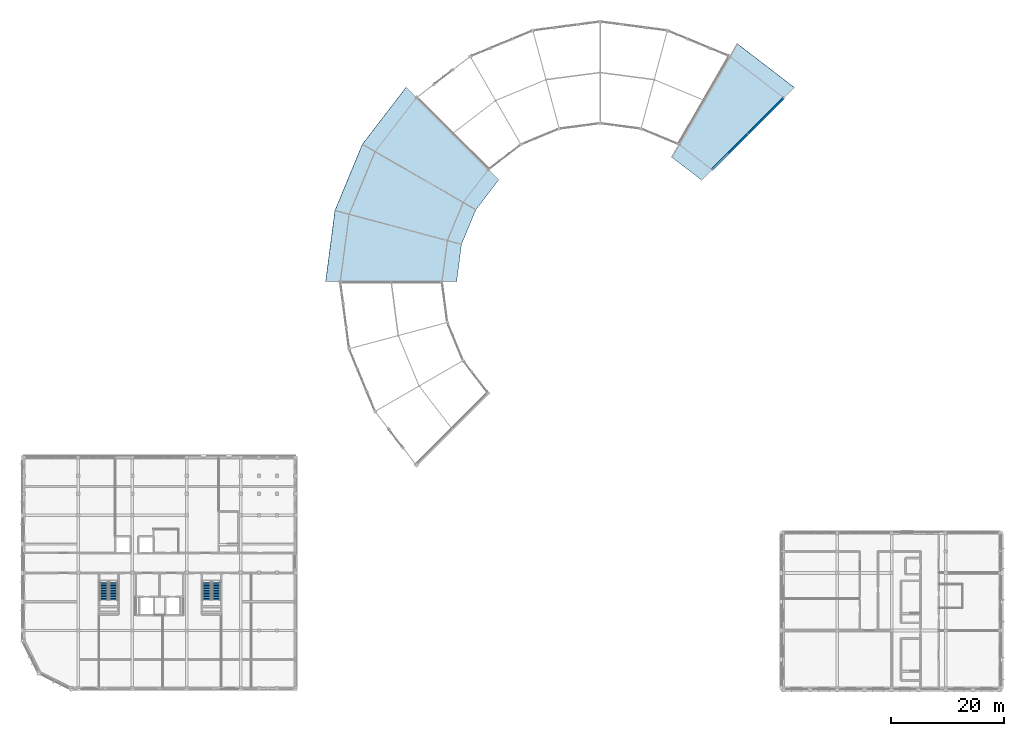
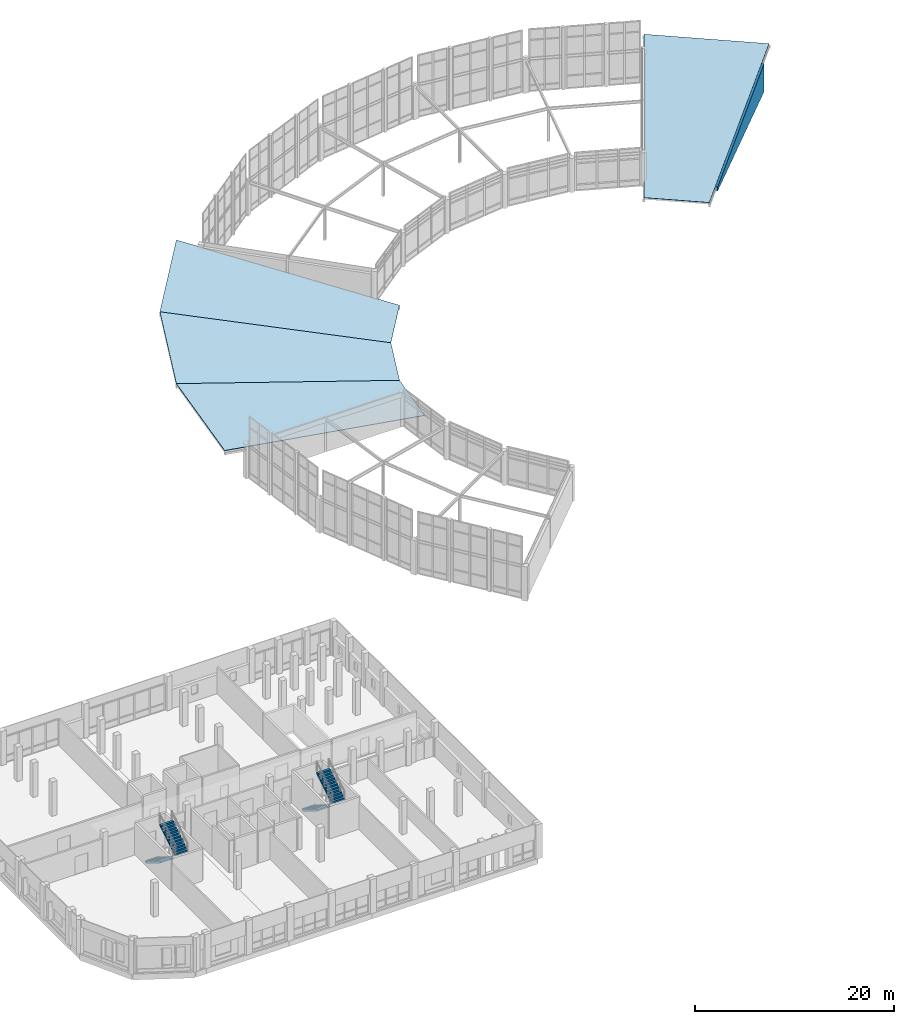
# One storey, part 85 of 93: 4 roofs, 4 stair flights, 1 wall, 2 elements without a shape of their own.
"""IFC4 building model written with IfcOpenShell, lengths in metres."""

import ifcopenshell
import ifcopenshell.guid

model = None  # the IFC model being written
_history = None  # IfcOwnerHistory: only IFC2X3 demands one
_inside = {}  # id of a spatial element -> (the spatial element, [elements in it])
_under = {}  # id of a project, library or spatial element -> (it, [spatial elements below it])
_declared = {}  # id of a project -> (the project, [libraries it declares])
_typed = {}  # id of a type object -> (the type object, [elements of that type])
_made_of = {}  # id of a material, layer set ... -> (it, [elements and type objects made of it])


def new_model(schema):
    """Start an empty IFC model of exactly this schema.

    Asked for "IFC4X3", IfcOpenShell would pick the latest addendum, in which some entities
    have other attributes; the version numbers below select the first issue.
    IFC2X3 requires an IfcOwnerHistory on every rooted entity: one is made here for all.
    """
    global model, _history
    if schema == "IFC4X3":
        model = ifcopenshell.file(schema_version=(4, 3, 0, 0))
    else:
        model = ifcopenshell.file(schema=schema)
    _inside.clear()
    _under.clear()
    _declared.clear()
    _typed.clear()
    _made_of.clear()
    _history = None
    if model.schema == "IFC2X3":
        org = make("IfcOrganization", Name="unknown")
        user = make(
            "IfcPersonAndOrganization",
            ThePerson=make("IfcPerson", FamilyName="unknown"),
            TheOrganization=org,
        )
        app = make(
            "IfcApplication",
            ApplicationDeveloper=org,
            Version="unknown",
            ApplicationFullName="unknown",
            ApplicationIdentifier="unknown",
        )
        _history = make(
            "IfcOwnerHistory",
            OwningUser=user,
            OwningApplication=app,
            ChangeAction="ADDED",
            CreationDate=0,
        )
    return model


def make(cls, **values):
    """One entity of the class cls with the attributes given. An attribute that is None is left unset."""
    return model.create_entity(
        cls, **{name: value for name, value in values.items() if value is not None}
    )


def rooted(cls, **values):
    """An entity with a GlobalId (a new one), such as an element, a storey or a relation."""
    return make(cls, GlobalId=ifcopenshell.guid.new(), OwnerHistory=_history, **values)


def si_unit(unit_type, name, prefix=None):
    """IfcSIUnit, for example si_unit("LENGTHUNIT", "METRE", prefix="MILLI")."""
    return make("IfcSIUnit", UnitType=unit_type, Prefix=prefix, Name=name)


def assignment(units):
    """IfcUnitAssignment: the units of a project."""
    return None if units is None else make("IfcUnitAssignment", Units=units)


def point(xyz):
    """IfcCartesianPoint."""
    return None if xyz is None else make("IfcCartesianPoint", Coordinates=xyz)


def direction(xyz):
    """IfcDirection."""
    return None if xyz is None else make("IfcDirection", DirectionRatios=xyz)


def frame(location, z_axis=None, x_axis=None):
    """IfcAxis2Placement3D, a coordinate frame: its origin and axes. An axis left out is left unset."""
    return make(
        "IfcAxis2Placement3D",
        Location=point(location),
        Axis=direction(z_axis),
        RefDirection=direction(x_axis),
    )


def origin():
    """The frame at (0, 0, 0) with its axes left unset."""
    return frame((0.0, 0.0, 0.0))


def place(relative_to, where):
    """IfcLocalPlacement: puts the frame where relative to a parent placement (None: the world)."""
    return make(
        "IfcLocalPlacement", PlacementRelTo=relative_to, RelativePlacement=where
    )


def context(
    kind, dimensions, precision=None, world=None, true_north=None, identifier=None
):
    """IfcGeometricRepresentationContext, for example the 3D "Model" context."""
    return make(
        "IfcGeometricRepresentationContext",
        ContextIdentifier=identifier,
        ContextType=kind,
        CoordinateSpaceDimension=dimensions,
        Precision=precision,
        WorldCoordinateSystem=world,
        TrueNorth=true_north,
    )


def subcontext(parent, identifier, kind, view, scale=None):
    """IfcGeometricRepresentationSubContext, for example "Body" below "Model"."""
    return make(
        "IfcGeometricRepresentationSubContext",
        ContextIdentifier=identifier,
        ContextType=kind,
        ParentContext=parent,
        TargetScale=scale,
        TargetView=view,
    )


def project(units=None, contexts=None):
    """IfcProject with its units and contexts."""
    return rooted(
        "IfcProject",
        Name="project",
        RepresentationContexts=contexts,
        UnitsInContext=assignment(units),
    )


def spatial(cls, under=None, at=None, **own):
    """A site, building, storey or space (cls), placed at a placement, below another one or the project."""
    s = rooted(cls, ObjectPlacement=at, **own)
    if under is not None:
        _under.setdefault(under.id(), (under, []))[1].append(s)
    return s


def polyline(points):
    """IfcPolyline through the points."""
    return make("IfcPolyline", Points=[point(p) for p in points])


def outline(outer, holes=None, kind="AREA"):
    """IfcArbitraryClosedProfileDef: a profile drawn as a closed curve; with holes, ...WithVoids."""
    if holes is None:
        return make("IfcArbitraryClosedProfileDef", ProfileType=kind, OuterCurve=outer)
    return make(
        "IfcArbitraryProfileDefWithVoids",
        ProfileType=kind,
        OuterCurve=outer,
        InnerCurves=holes,
    )


def extrude(swept, where, along, depth):
    """IfcExtrudedAreaSolid: the profile swept, set in the frame where, extruded along a direction by depth."""
    return make(
        "IfcExtrudedAreaSolid",
        SweptArea=swept,
        Position=where,
        ExtrudedDirection=direction(along),
        Depth=depth,
    )


def shape(context_of_items, identifier, shape_type, items):
    """IfcShapeRepresentation: the items that make up one representation, for example the "Body"."""
    return make(
        "IfcShapeRepresentation",
        ContextOfItems=context_of_items,
        RepresentationIdentifier=identifier,
        RepresentationType=shape_type,
        Items=items,
    )


def material(Name=None, Category=None):
    """IfcMaterial."""
    return make("IfcMaterial", Name=Name, Category=Category)


def layer(
    of_material, thickness, ventilated=None, Name=None, Category=None, Priority=None
):
    """IfcMaterialLayer: one layer of a wall or slab, of a material (None: an air gap)."""
    return make(
        "IfcMaterialLayer",
        Material=of_material,
        LayerThickness=thickness,
        IsVentilated=ventilated,
        Name=Name,
        Category=Category,
        Priority=Priority,
    )


def layer_set(layers, Name=None):
    """IfcMaterialLayerSet."""
    return make("IfcMaterialLayerSet", MaterialLayers=layers, LayerSetName=Name)


def made_of(thing, what):
    """Note that an element or type object is made of a material, layer set ...; save() writes the relation."""
    if what is not None:
        _made_of.setdefault(what.id(), (what, []))[1].append(thing)
    return thing


def type_object(cls, material=None, **own):
    """A type object (cls), such as IfcWallType, which elements share."""
    return made_of(rooted(cls, **own), material)


def element(
    cls,
    number,
    at=None,
    inside=None,
    cuts=None,
    type_object=None,
    material=None,
    context=None,
    identifier="Body",
    shape_type=None,
    held_by="IfcProductDefinitionShape",
    body=None,
    shapes=None,
    **own,
):
    """One element of the class cls, such as IfcWall. Its Tag is "e" and its number.

    at: its placement. inside: the storey or other place that contains it. cuts: it is an
    opening in that element (IfcRelVoidsElement). A single representation is given by context,
    identifier, shape_type and body (its items); several are given by shapes. held_by: the class
    of the entity that holds the representations. save() writes the other relations.
    """
    e = rooted(cls, Tag="e%d" % number, ObjectPlacement=at, **own)
    if body is not None:
        shapes = [shape(context, identifier, shape_type, body)]
    if shapes is not None:
        e.Representation = make(held_by, Representations=shapes)
    if inside is not None:
        _inside.setdefault(inside.id(), (inside, []))[1].append(e)
    if cuts is not None:
        rooted(
            "IfcRelVoidsElement", RelatingBuildingElement=cuts, RelatedOpeningElement=e
        )
    if type_object is not None:
        _typed.setdefault(type_object.id(), (type_object, []))[1].append(e)
    return made_of(e, material)


def aggregate(whole, parts):
    """IfcRelAggregates: a whole, such as a stair, and the parts it consists of."""
    return rooted("IfcRelAggregates", RelatingObject=whole, RelatedObjects=parts)


def save(model, path):
    """Write the relations noted so far, then the file.

    IfcRelAggregates (storeys below a building ...), IfcRelContainedInSpatialStructure (elements
    in a storey), IfcRelDefinesByType, IfcRelAssociatesMaterial and IfcRelDeclares: one each for
    every whole, place, type object, material and project.
    """
    for whole, parts in _under.values():
        aggregate(whole, parts)
    for where, things in _inside.values():
        rooted(
            "IfcRelContainedInSpatialStructure",
            RelatedElements=things,
            RelatingStructure=where,
        )
    for kind, things in _typed.values():
        rooted("IfcRelDefinesByType", RelatedObjects=things, RelatingType=kind)
    for what, things in _made_of.values():
        rooted("IfcRelAssociatesMaterial", RelatedObjects=things, RelatingMaterial=what)
    for by, libraries in _declared.values():
        rooted("IfcRelDeclares", RelatingContext=by, RelatedDefinitions=libraries)
    model.write(path)


model = new_model("IFC4")

# Units and contexts
model_context = context("Model", 3, precision=1e-05, world=origin(), true_north=direction((0.0, 1.0)))
body_context = subcontext(model_context, "Body", "Model", "MODEL_VIEW")
ifc_project = project(units=[si_unit("LENGTHUNIT", "METRE"), si_unit("AREAUNIT", "SQUARE_METRE"), si_unit("VOLUMEUNIT", "CUBIC_METRE"), si_unit("PLANEANGLEUNIT", "RADIAN"), si_unit("MASSUNIT", "GRAM", prefix="KILO")], contexts=[model_context])

# Site, building, storey
site_placement = place(None, origin())
site = spatial("IfcSite", under=ifc_project, at=site_placement, CompositionType="ELEMENT")
building_placement = place(site_placement, origin())
building = spatial("IfcBuilding", under=site, at=building_placement, Name="Vondelvale Polytechnic", CompositionType="ELEMENT")
storey_placement = place(building_placement, frame((0.0, 0.0, 18.0)))
storey = spatial("IfcBuildingStorey", under=building, at=storey_placement, Name="L04", CompositionType="ELEMENT", Elevation=18.0)

# Wall
ifc_material_1 = material(Name="Amsterdam School iron-spot clinker clay brickwork", Category="masonry")
ifc_layer_1 = layer(ifc_material_1, 0.35009765625)
ifc_layer_set_1 = layer_set([ifc_layer_1], Name="WL-BRICK-350")
wall_type = type_object("IfcWallType", Name="WL-BRICK-350", PredefinedType="SOLIDWALL", material=ifc_layer_set_1)
wall_placement = place(storey_placement, frame((121.799072265625, 91.799072265625, 0.02001953125), z_axis=(0.0, 0.0, 1.0), x_axis=(0.707106781187, 0.707106781187, 0.0)))
element("IfcWall", 1, at=wall_placement, inside=storey, type_object=wall_type, Name="Ring stepped roof transition brick gable R03", PredefinedType="SOLIDWALL", context=body_context, shape_type="SweptSolid", body=[
    extrude(outline(polyline([(0.0, 0.0), (17.999755859375, 0.0), (18.0, 3.451416015625), (0.0, 0.503173828125), (0.0, 0.0)])), frame((0.0, 0.175048828125, 0.0), z_axis=(0.0, -1.0, 0.0), x_axis=(1.0, 0.0, 0.0)), (0.0, 0.0, 1.0), 0.35009765625),
])

# Stair, stair flights
ifc_material_2 = material(Name="Concrete N40 (f'c = 40 MPa)", Category="concrete")
stair_type = type_object("IfcStairType", Name="STR-DOG-1500", PredefinedType="HALF_TURN_STAIR", material=ifc_material_2)
stair_1_placement = place(storey_placement, origin())
stair_1 = element("IfcStair", 2, at=stair_1_placement, inside=storey, type_object=stair_type, Name="L04 ST-03", PredefinedType="HALF_TURN_STAIR")
stair_flight_type = type_object("IfcStairFlightType", Name="STF-DOG-1500", PredefinedType="STRAIGHT", material=ifc_material_2)
stair_flight_1_placement = place(storey_placement, frame((14.14990234375, 18.75, 0.0), z_axis=(0.0, 0.0, 1.0), x_axis=(0.0, -1.0, 0.0)))
stair_flight_1 = element("IfcStairFlight", 3, at=stair_flight_1_placement, type_object=stair_flight_type, Name="ST-03 flight 1", NumberOfRisers=12, NumberOfTreads=11, PredefinedType="STRAIGHT", RiserHeight=0.175, TreadLength=0.285, context=body_context, shape_type="SweptSolid", body=[
    extrude(outline(polyline([(0.0, 0.0), (0.0, 0.175048828125), (0.284912109375, 0.175048828125), (0.284912109375, 0.35009765625), (0.570068359375, 0.35009765625), (0.570068359375, 0.52490234375), (0.85498046875, 0.52490234375), (0.85498046875, 0.699951171875), (1.139892578125, 0.699951171875), (1.139892578125, 0.875), (1.425048828125, 0.875), (1.425048828125, 1.050048828125), (1.7099609375, 1.050048828125), (1.7099609375, 1.22509765625), (1.9951171875, 1.22509765625), (1.9951171875, 1.39990234375), (2.280029296875, 1.39990234375), (2.280029296875, 1.574951171875), (2.56494140625, 1.574951171875), (2.56494140625, 1.75), (2.85009765625, 1.75), (2.85009765625, 1.925048828125), (3.135009765625, 1.925048828125), (3.135009765625, 2.10009765625), (3.135009765625, 1.7373046875), (0.3056640625, 0.0), (0.0, 0.0)])), frame((0.0, 0.75, 0.0), z_axis=(0.0, -1.0, 0.0), x_axis=(1.0, 0.0, 0.0)), (0.0, 0.0, 1.0), 1.5),
])
stair_flight_2_placement = place(storey_placement, frame((15.85009765625, 15.614990234375, 2.10009765625), z_axis=(0.0, 0.0, 1.0), x_axis=(0.0, 1.0, 0.0)))
stair_flight_2 = element("IfcStairFlight", 4, at=stair_flight_2_placement, type_object=stair_flight_type, Name="ST-03 flight 2", NumberOfRisers=12, NumberOfTreads=11, PredefinedType="STRAIGHT", RiserHeight=0.175, TreadLength=0.285, context=body_context, shape_type="SweptSolid", body=[
    extrude(outline(polyline([(0.0, 0.0), (0.0, 0.175048828125), (0.284912109375, 0.175048828125), (0.284912109375, 0.35009765625), (0.570068359375, 0.35009765625), (0.570068359375, 0.52490234375), (0.85498046875, 0.52490234375), (0.85498046875, 0.699951171875), (1.139892578125, 0.699951171875), (1.139892578125, 0.875), (1.425048828125, 0.875), (1.425048828125, 1.050048828125), (1.7099609375, 1.050048828125), (1.7099609375, 1.22509765625), (1.9951171875, 1.22509765625), (1.9951171875, 1.39990234375), (2.280029296875, 1.39990234375), (2.280029296875, 1.574951171875), (2.56494140625, 1.574951171875), (2.56494140625, 1.75), (2.85009765625, 1.75), (2.85009765625, 1.925048828125), (3.135009765625, 1.925048828125), (3.135009765625, 2.10009765625), (3.135009765625, 1.7373046875), (0.3056640625, 0.0), (0.0, 0.0)])), frame((0.0, 0.75, 0.0), z_axis=(0.0, -1.0, 0.0), x_axis=(1.0, 0.0, 0.0)), (0.0, 0.0, 1.0), 1.5),
])
aggregate(stair_1, [stair_flight_1, stair_flight_2])

stair_2_placement = place(storey_placement, origin())
stair_2 = element("IfcStair", 5, at=stair_2_placement, inside=storey, type_object=stair_type, Name="L04 ST-04", PredefinedType="HALF_TURN_STAIR")
stair_flight_3_placement = place(storey_placement, frame((32.35009765625, 18.75, 0.0), z_axis=(0.0, 0.0, 1.0), x_axis=(0.0, -1.0, 0.0)))
stair_flight_3 = element("IfcStairFlight", 6, at=stair_flight_3_placement, type_object=stair_flight_type, Name="ST-04 flight 1", NumberOfRisers=12, NumberOfTreads=11, PredefinedType="STRAIGHT", RiserHeight=0.175, TreadLength=0.285, context=body_context, shape_type="SweptSolid", body=[
    extrude(outline(polyline([(0.0, 0.0), (0.0, 0.175048828125), (0.284912109375, 0.175048828125), (0.284912109375, 0.35009765625), (0.570068359375, 0.35009765625), (0.570068359375, 0.52490234375), (0.85498046875, 0.52490234375), (0.85498046875, 0.699951171875), (1.139892578125, 0.699951171875), (1.139892578125, 0.875), (1.425048828125, 0.875), (1.425048828125, 1.050048828125), (1.7099609375, 1.050048828125), (1.7099609375, 1.22509765625), (1.9951171875, 1.22509765625), (1.9951171875, 1.39990234375), (2.280029296875, 1.39990234375), (2.280029296875, 1.574951171875), (2.56494140625, 1.574951171875), (2.56494140625, 1.75), (2.85009765625, 1.75), (2.85009765625, 1.925048828125), (3.135009765625, 1.925048828125), (3.135009765625, 2.10009765625), (3.135009765625, 1.7373046875), (0.3056640625, 0.0), (0.0, 0.0)])), frame((0.0, 0.75, 0.0), z_axis=(0.0, -1.0, 0.0), x_axis=(1.0, 0.0, 0.0)), (0.0, 0.0, 1.0), 1.5),
])
stair_flight_4_placement = place(storey_placement, frame((34.050048828125, 15.614990234375, 2.10009765625), z_axis=(0.0, 0.0, 1.0), x_axis=(0.0, 1.0, 0.0)))
stair_flight_4 = element("IfcStairFlight", 7, at=stair_flight_4_placement, type_object=stair_flight_type, Name="ST-04 flight 2", NumberOfRisers=12, NumberOfTreads=11, PredefinedType="STRAIGHT", RiserHeight=0.175, TreadLength=0.285, context=body_context, shape_type="SweptSolid", body=[
    extrude(outline(polyline([(0.0, 0.0), (0.0, 0.175048828125), (0.284912109375, 0.175048828125), (0.284912109375, 0.35009765625), (0.570068359375, 0.35009765625), (0.570068359375, 0.52490234375), (0.85498046875, 0.52490234375), (0.85498046875, 0.699951171875), (1.139892578125, 0.699951171875), (1.139892578125, 0.875), (1.425048828125, 0.875), (1.425048828125, 1.050048828125), (1.7099609375, 1.050048828125), (1.7099609375, 1.22509765625), (1.9951171875, 1.22509765625), (1.9951171875, 1.39990234375), (2.280029296875, 1.39990234375), (2.280029296875, 1.574951171875), (2.56494140625, 1.574951171875), (2.56494140625, 1.75), (2.85009765625, 1.75), (2.85009765625, 1.925048828125), (3.135009765625, 1.925048828125), (3.135009765625, 2.10009765625), (3.135009765625, 1.7373046875), (0.3056640625, 0.0), (0.0, 0.0)])), frame((0.0, 0.75, 0.0), z_axis=(0.0, -1.0, 0.0), x_axis=(1.0, 0.0, 0.0)), (0.0, 0.0, 1.0), 1.5),
])
aggregate(stair_2, [stair_flight_3, stair_flight_4])

# Roofs
ifc_material_3 = material(Name="Dark zinc-bronze standing-seam insulated roof system")
ifc_layer_2 = layer(ifc_material_3, 0.06005859375)
ifc_layer_set_2 = layer_set([ifc_layer_2], Name="RF-ZINC-RING")
roof_type = type_object("IfcRoofType", Name="RF-ZINC-RING", PredefinedType="SHED_ROOF", material=ifc_layer_set_2)
for number, where, z_axis, x_axis, name in (
    (8, (119.96044921875, 89.96044921875, 0.330078125), (-0.099220853186, -0.129307003649, 0.986628056109), (0.697809324875, 0.697809309167, 0.161630177121), "Circular cloister dark zinc roof sector 03"),
    (9, (84.03955078125, 89.96044921875, 0.330078125), (0.129307003649, -0.099220853186, 0.986628056109), (-0.697809309167, 0.697809324875, 0.161630177121), "Circular cloister dark zinc roof sector 09"),
):
    element("IfcRoof", number, at=place(storey_placement, frame(where, z_axis=z_axis, x_axis=x_axis)), inside=storey, type_object=roof_type, Name=name, PredefinedType="SHED_ROOF", context=body_context, shape_type="SweptSolid", body=[
        extrude(outline(polyline([(0.0, 0.0), (23.509327683403676, 1.1518563880486e-15), (21.87502950214247, 12.581441762589419), (-0.8540328137971462, 6.575543894499543), (0.0, 0.0)])), origin(), (0.0, 0.0, -1.0), 0.06005859375),
    ])
roof_1_placement = place(storey_placement, frame((80.0029296875, 84.699951171875, 0.330078125), z_axis=(0.150581581556, -0.062372410018, 0.986628030093), x_axis=(-0.854636667473, 0.493428665813, 0.161630190141)))
element("IfcRoof", 10, at=roof_1_placement, inside=storey, type_object=roof_type, Name="Circular cloister dark zinc roof sector 10", PredefinedType="SHED_ROOF", context=body_context, shape_type="SweptSolid", body=[
    extrude(outline(polyline([(0.0, 0.0), (23.509170188753345, 3.608224830031759e-16), (21.874930865438927, 12.581514977179163), (-0.8542170892393224, 6.57541366545335), (0.0, 0.0)])), origin(), (0.0, 0.0, -1.0), 0.06005859375),
])
roof_2_placement = place(storey_placement, frame((77.465576171875, 78.573974609375, 0.330078125), z_axis=(0.161593222401, -0.02127413735, 0.986628117152), x_axis=(-0.953225458396, 0.255415406189, 0.161629810825)))
element("IfcRoof", 11, at=roof_2_placement, inside=storey, type_object=roof_type, Name="Circular cloister dark zinc roof sector 11", PredefinedType="SHED_ROOF", context=body_context, shape_type="SweptSolid", body=[
    extrude(outline(polyline([(0.0, 0.0), (23.50930496021827, 7.355227538141662e-16), (21.875080284105206, 12.581461647738164), (-0.8540982403398211, 6.575462829456495), (0.0, 0.0)])), origin(), (0.0, 0.0, -1.0), 0.06005859375),
])

save(model, "model.ifc")
